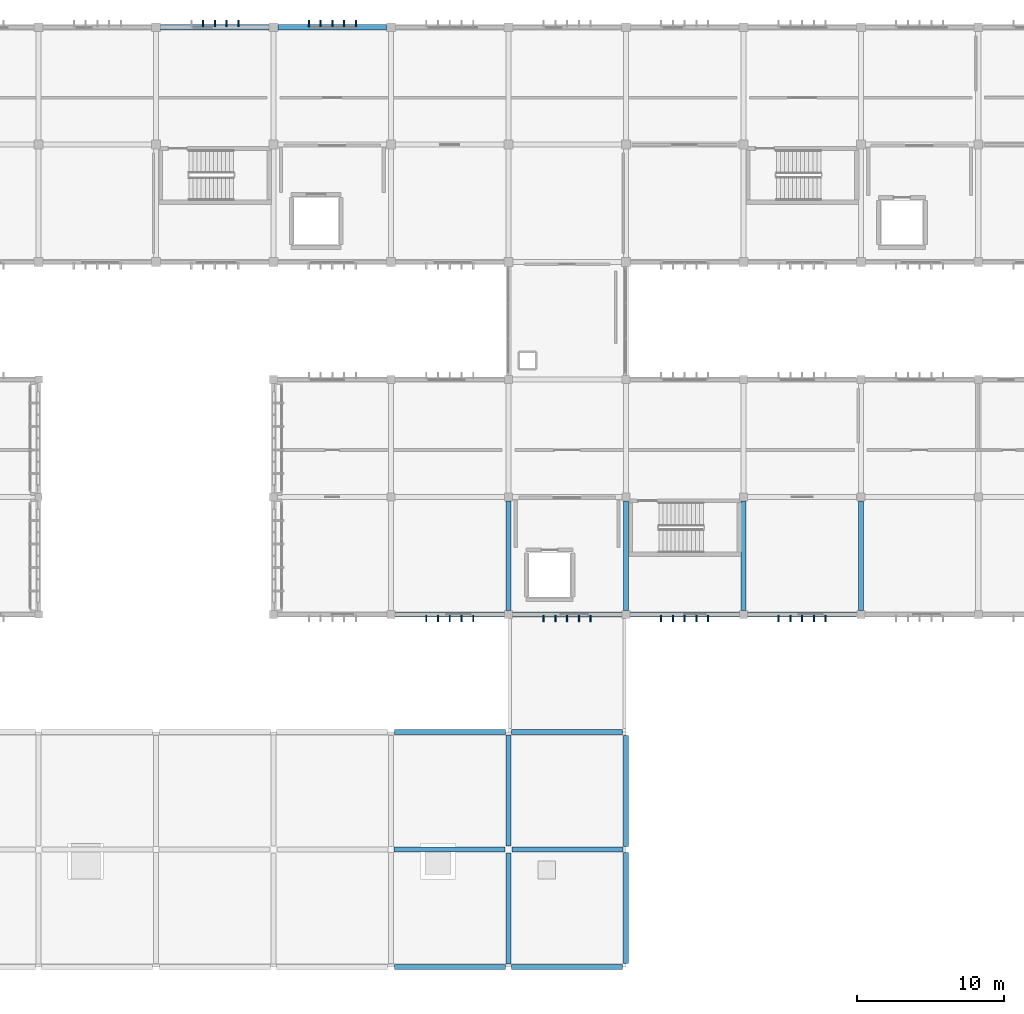
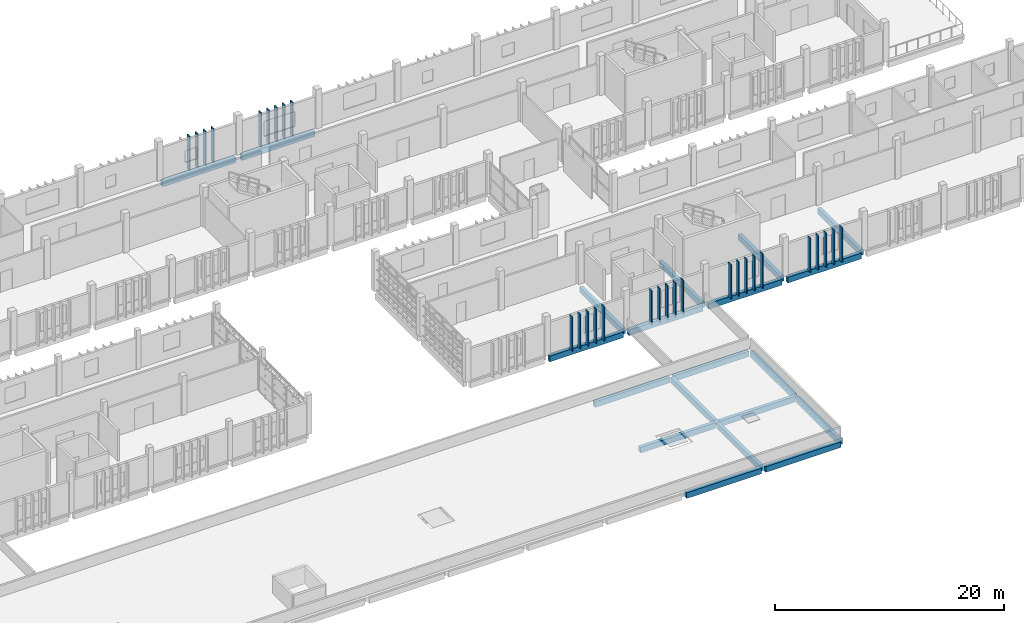
# One storey, part 18 of 48: 29 members, 20 beams.
"""IFC4 building model written with IfcOpenShell, lengths in metres."""

from ifc_helpers import new_model, si_unit, direction, frame, origin, origin_2d, place, context, subcontext, project, spatial, rectangle, extrude, material, material_profile, profile_set, type_object, element, save


model = new_model("IFC4")

# Units and contexts
model_context = context("Model", 3, precision=1e-05, world=origin(), true_north=direction((0.0, 1.0)))
body_context = subcontext(model_context, "Body", "Model", "MODEL_VIEW")
ifc_project = project(units=[si_unit("LENGTHUNIT", "METRE"), si_unit("AREAUNIT", "SQUARE_METRE"), si_unit("VOLUMEUNIT", "CUBIC_METRE"), si_unit("PLANEANGLEUNIT", "RADIAN"), si_unit("MASSUNIT", "GRAM", prefix="KILO")], contexts=[model_context])

# Site, building, storey
site_placement = place(None, origin())
site = spatial("IfcSite", under=ifc_project, at=site_placement, CompositionType="ELEMENT")
building_placement = place(site_placement, origin())
building = spatial("IfcBuilding", under=site, at=building_placement, Name="Jelvoka-Kovrelna Polytechnic", CompositionType="ELEMENT")
storey_placement = place(building_placement, frame((0.0, 0.0, 22.199951171875)))
storey = spatial("IfcBuildingStorey", under=building, at=storey_placement, Name="L06", CompositionType="ELEMENT", Elevation=22.199951171875)

# Beams
ifc_material_1 = material(Name="Concrete C35/45", Category="concrete")
ifc_material_profile_1 = material_profile(ifc_material_1, rectangle(XDim=0.35009765625, YDim=0.60009765625, at=origin_2d()), Name="RC 350x600")
ifc_profile_set_1 = profile_set([ifc_material_profile_1], Name="Concrete C35/45")
beam_type_1 = type_object("IfcBeamType", Name="Beam_RC_350x600", PredefinedType="BEAM", material=ifc_profile_set_1)
for number, where, z_axis, x_axis, name in (
    (1, (144.0, 32.280029296875, -0.5400390625), (0.0, 1.0, 0.0), (-1.0, 0.0, 0.0), "L06 beam 1682"),
    (2, (152.0, 32.280029296875, -0.5400390625), (0.0, 1.0, 0.0), (-1.0, 0.0, 0.0), "L06 beam 1684"),
    (3, (160.0, 32.280029296875, -0.5400390625), (0.0, 1.0, 0.0), (-1.0, 0.0, 0.0), "L06 beam 1686"),
    (4, (168.0, 32.280029296875, -0.5400390625), (0.0, 1.0, 0.0), (-1.0, 0.0, 0.0), "L06 beam 1688"),
):
    element("IfcBeam", number, at=place(storey_placement, frame(where, z_axis=z_axis, x_axis=x_axis)), inside=storey, type_object=beam_type_1, Name=name, PredefinedType="BEAM", context=body_context, shape_type="SweptSolid", body=[
        extrude(rectangle(XDim=0.35009765625, YDim=0.60009765625, at=origin_2d()), origin(), (0.0, 0.0, 1.0), 7.43994140625),
    ])
for number, where, z_axis, x_axis, name in (
    (5, (136.205078125, 16.0, -0.5400390625), (1.0, 0.0, 0.0), (0.0, 1.0, 0.0), "L06 beam 2121"),
    (6, (144.22998046875, 16.0, -0.5400390625), (1.0, 0.0, 0.0), (0.0, 1.0, 0.0), "L06 beam 2122"),
    (7, (144.0, 8.205078125, -0.5400390625), (0.0, 1.0, 0.0), (-1.0, 0.0, 0.0), "L06 beam 2154"),
    (8, (144.0, 16.22998046875, -0.5400390625), (0.0, 1.0, 0.0), (-1.0, 0.0, 0.0), "L06 beam 2155"),
    (9, (152.0, 8.22998046875, -0.5400390625), (0.0, 1.0, 0.0), (-1.0, 0.0, 0.0), "L06 beam 2156"),
    (10, (152.0, 16.205078125, -0.5400390625), (0.0, 1.0, 0.0), (-1.0, 0.0, 0.0), "L06 beam 2157"),
):
    element("IfcBeam", number, at=place(storey_placement, frame(where, z_axis=z_axis, x_axis=x_axis)), inside=storey, type_object=beam_type_1, Name=name, PredefinedType="BEAM", context=body_context, shape_type="SweptSolid", body=[
        extrude(rectangle(XDim=0.35009765625, YDim=0.60009765625, at=origin_2d()), origin(), (0.0, 0.0, 1.0), 7.56494140625),
    ])

# Members
ifc_material_2 = material(Name="Precast concrete C40/50", Category="concrete")
ifc_material_profile_2 = material_profile(ifc_material_2, rectangle(XDim=0.10009765625, YDim=0.449951171875, at=origin_2d()), Name="PC 100x450")
ifc_profile_set_2 = profile_set([ifc_material_profile_2], Name="Precast concrete C40/50")
member_type = type_object("IfcMemberType", Name="Louvre_Fin_100x450", PredefinedType="USERDEFINED", material=ifc_profile_set_2)
for number, where, z_axis, x_axis, name in (
    (11, (138.39990234375, 31.735107421875, -0.27001953125), (0.0, 0.0, 1.0), (1.0, 0.0, 0.0), "L06 B2E south vertical solar louvre fin 1086"),
    (12, (139.199951171875, 31.735107421875, -0.27001953125), (0.0, 0.0, 1.0), (1.0, 0.0, 0.0), "L06 B2E south vertical solar louvre fin 1087"),
    (13, (140.0, 31.735107421875, -0.27001953125), (0.0, 0.0, 1.0), (1.0, 0.0, 0.0), "L06 B2E south vertical solar louvre fin 1088"),
    (14, (140.800048828125, 31.735107421875, -0.27001953125), (0.0, 0.0, 1.0), (1.0, 0.0, 0.0), "L06 B2E south vertical solar louvre fin 1089"),
    (15, (141.60009765625, 31.735107421875, -0.27001953125), (0.0, 0.0, 1.0), (1.0, 0.0, 0.0), "L06 B2E south vertical solar louvre fin 1090"),
    (16, (146.39990234375, 31.735107421875, -0.27001953125), (0.0, 0.0, 1.0), (1.0, 0.0, 0.0), "L06 B2E south vertical solar louvre fin 1096"),
    (17, (147.199951171875, 31.735107421875, -0.27001953125), (0.0, 0.0, 1.0), (1.0, 0.0, 0.0), "L06 B2E south vertical solar louvre fin 1097"),
    (18, (148.0, 31.735107421875, -0.27001953125), (0.0, 0.0, 1.0), (1.0, 0.0, 0.0), "L06 B2E south vertical solar louvre fin 1098"),
    (19, (148.800048828125, 31.735107421875, -0.27001953125), (0.0, 0.0, 1.0), (1.0, 0.0, 0.0), "L06 B2E south vertical solar louvre fin 1099"),
    (20, (149.60009765625, 31.735107421875, -0.27001953125), (0.0, 0.0, 1.0), (1.0, 0.0, 0.0), "L06 B2E south vertical solar louvre fin 1100"),
    (21, (154.39990234375, 31.735107421875, -0.27001953125), (0.0, 0.0, 1.0), (1.0, 0.0, 0.0), "L06 B2E south vertical solar louvre fin 1101"),
    (22, (155.199951171875, 31.735107421875, -0.27001953125), (0.0, 0.0, 1.0), (1.0, 0.0, 0.0), "L06 B2E south vertical solar louvre fin 1102"),
    (23, (156.0, 31.735107421875, -0.27001953125), (0.0, 0.0, 1.0), (1.0, 0.0, 0.0), "L06 B2E south vertical solar louvre fin 1103"),
    (24, (156.800048828125, 31.735107421875, -0.27001953125), (0.0, 0.0, 1.0), (1.0, 0.0, 0.0), "L06 B2E south vertical solar louvre fin 1104"),
    (25, (157.60009765625, 31.735107421875, -0.27001953125), (0.0, 0.0, 1.0), (1.0, 0.0, 0.0), "L06 B2E south vertical solar louvre fin 1105"),
    (26, (162.39990234375, 31.735107421875, -0.27001953125), (0.0, 0.0, 1.0), (1.0, 0.0, 0.0), "L06 B2E south vertical solar louvre fin 1111"),
    (27, (163.199951171875, 31.735107421875, -0.27001953125), (0.0, 0.0, 1.0), (1.0, 0.0, 0.0), "L06 B2E south vertical solar louvre fin 1112"),
    (28, (164.0, 31.735107421875, -0.27001953125), (0.0, 0.0, 1.0), (1.0, 0.0, 0.0), "L06 B2E south vertical solar louvre fin 1113"),
    (29, (164.800048828125, 31.735107421875, -0.27001953125), (0.0, 0.0, 1.0), (1.0, 0.0, 0.0), "L06 B2E south vertical solar louvre fin 1114"),
    (30, (165.60009765625, 31.735107421875, -0.27001953125), (0.0, 0.0, 1.0), (1.0, 0.0, 0.0), "L06 B2E south vertical solar louvre fin 1115"),
    (31, (123.199951171875, 72.264892578125, -0.27001953125), (0.0, 0.0, 1.0), (1.0, 0.0, 0.0), "L06 B3 north vertical solar louvre fin 2012"),
    (32, (124.0, 72.264892578125, -0.27001953125), (0.0, 0.0, 1.0), (1.0, 0.0, 0.0), "L06 B3 north vertical solar louvre fin 2013"),
    (33, (124.800048828125, 72.264892578125, -0.27001953125), (0.0, 0.0, 1.0), (1.0, 0.0, 0.0), "L06 B3 north vertical solar louvre fin 2014"),
    (34, (125.60009765625, 72.264892578125, -0.27001953125), (0.0, 0.0, 1.0), (1.0, 0.0, 0.0), "L06 B3 north vertical solar louvre fin 2015"),
    (35, (130.39990234375, 72.264892578125, -0.27001953125), (0.0, 0.0, 1.0), (1.0, 0.0, 0.0), "L06 B3 north vertical solar louvre fin 2021"),
    (36, (131.199951171875, 72.264892578125, -0.27001953125), (0.0, 0.0, 1.0), (1.0, 0.0, 0.0), "L06 B3 north vertical solar louvre fin 2022"),
    (37, (132.0, 72.264892578125, -0.27001953125), (0.0, 0.0, 1.0), (1.0, 0.0, 0.0), "L06 B3 north vertical solar louvre fin 2023"),
    (38, (132.800048828125, 72.264892578125, -0.27001953125), (0.0, 0.0, 1.0), (1.0, 0.0, 0.0), "L06 B3 north vertical solar louvre fin 2024"),
    (39, (133.60009765625, 72.264892578125, -0.27001953125), (0.0, 0.0, 1.0), (1.0, 0.0, 0.0), "L06 B3 north vertical solar louvre fin 2025"),
):
    element("IfcMember", number, at=place(storey_placement, frame(where, z_axis=z_axis, x_axis=x_axis)), inside=storey, type_object=member_type, Name=name, ObjectType="SUNSHADE", PredefinedType="USERDEFINED", context=body_context, shape_type="SweptSolid", body=[
        extrude(rectangle(XDim=0.10009765625, YDim=0.449951171875, at=origin_2d()), origin(), (0.0, 0.0, 1.0), 3.655029296875),
    ])

# Beams
ifc_material_3 = material(Name="Concrete C40/50", Category="concrete")
ifc_material_profile_3 = material_profile(ifc_material_3, rectangle(XDim=0.35009765625, YDim=0.60009765625, at=origin_2d()), Name="RC 350x600")
ifc_profile_set_3 = profile_set([ifc_material_profile_3], Name="Concrete C40/50")
beam_type_2 = type_object("IfcBeamType", Name="Spandrel_RC_350x600", PredefinedType="SPANDREL", material=ifc_profile_set_3)
for number, where, z_axis, x_axis, name in (
    (40, (136.280029296875, 32.0, -0.5400390625), (1.0, 0.0, 0.0), (0.0, 1.0, 0.0), "L06 beam 1653"),
    (41, (144.280029296875, 32.0, -0.5400390625), (1.0, 0.0, 0.0), (0.0, 1.0, 0.0), "L06 beam 1654"),
    (42, (152.280029296875, 32.0, -0.5400390625), (1.0, 0.0, 0.0), (0.0, 1.0, 0.0), "L06 beam 1655"),
    (43, (160.280029296875, 32.0, -0.5400390625), (1.0, 0.0, 0.0), (0.0, 1.0, 0.0), "L06 beam 1656"),
):
    element("IfcBeam", number, at=place(storey_placement, frame(where, z_axis=z_axis, x_axis=x_axis)), inside=storey, type_object=beam_type_2, Name=name, PredefinedType="SPANDREL", context=body_context, shape_type="SweptSolid", body=[
        extrude(rectangle(XDim=0.35009765625, YDim=0.60009765625, at=origin_2d()), origin(), (0.0, 0.0, 1.0), 7.43994140625),
    ])
for number, where, z_axis, x_axis, name in (
    (44, (120.304931640625, 72.0, -0.5400390625), (1.0, 0.0, 0.0), (0.0, 1.0, 0.0), "L06 beam 1746"),
    (45, (128.304931640625, 72.0, -0.5400390625), (1.0, 0.0, 0.0), (0.0, 1.0, 0.0), "L06 beam 1747"),
):
    element("IfcBeam", number, at=place(storey_placement, frame(where, z_axis=z_axis, x_axis=x_axis)), inside=storey, type_object=beam_type_2, Name=name, PredefinedType="SPANDREL", context=body_context, shape_type="SweptSolid", body=[
        extrude(rectangle(XDim=0.35009765625, YDim=0.60009765625, at=origin_2d()), origin(), (0.0, 0.0, 1.0), 7.39013671875),
    ])
for number, where, z_axis, x_axis, name in (
    (46, (136.22998046875, 8.0, -0.5400390625), (1.0, 0.0, 0.0), (0.0, 1.0, 0.0), "L06 beam 2110"),
    (47, (144.205078125, 8.0, -0.5400390625), (1.0, 0.0, 0.0), (0.0, 1.0, 0.0), "L06 beam 2111"),
    (48, (136.22998046875, 24.0, -0.5400390625), (1.0, 0.0, 0.0), (0.0, 1.0, 0.0), "L06 beam 2132"),
    (49, (144.205078125, 24.0, -0.5400390625), (1.0, 0.0, 0.0), (0.0, 1.0, 0.0), "L06 beam 2133"),
):
    element("IfcBeam", number, at=place(storey_placement, frame(where, z_axis=z_axis, x_axis=x_axis)), inside=storey, type_object=beam_type_2, Name=name, PredefinedType="SPANDREL", context=body_context, shape_type="SweptSolid", body=[
        extrude(rectangle(XDim=0.35009765625, YDim=0.60009765625, at=origin_2d()), origin(), (0.0, 0.0, 1.0), 7.56494140625),
    ])

save(model, "model.ifc")
